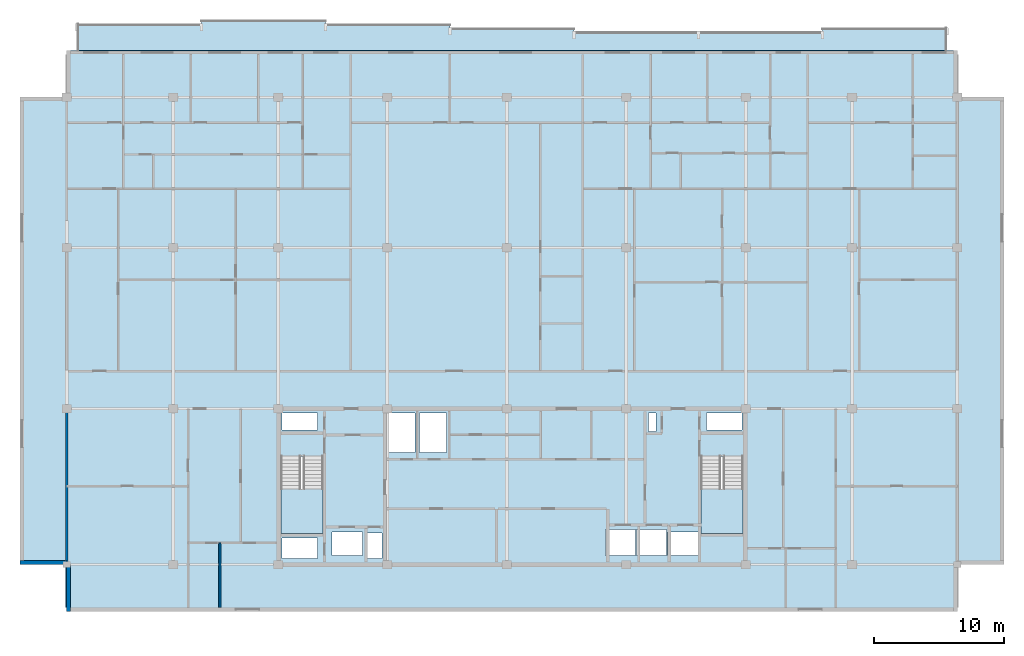
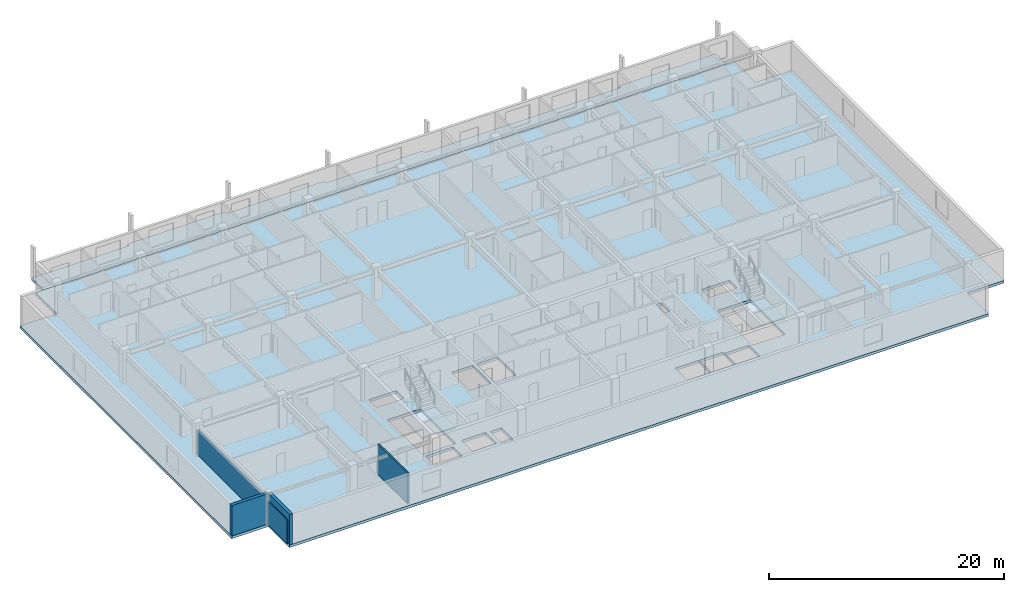
# One storey, part 2 of 10: 4 slabs, 4 walls, 2 elements without a shape of their own.
"""IFC4 building model written with IfcOpenShell, lengths in metres."""

from ifc_helpers import new_model, si_unit, direction, frame, frame_2d, origin, place, context, subcontext, project, spatial, polyline, rectangle, outline, extrude, material, layer, layer_set, type_object, element, aggregate, save


model = new_model("IFC4")

# Units and contexts
model_context = context("Model", 3, precision=1e-05, world=origin(), true_north=direction((0.0, 1.0)))
body_context = subcontext(model_context, "Body", "Model", "MODEL_VIEW")
ifc_project = project(units=[si_unit("LENGTHUNIT", "METRE"), si_unit("AREAUNIT", "SQUARE_METRE"), si_unit("VOLUMEUNIT", "CUBIC_METRE"), si_unit("PLANEANGLEUNIT", "RADIAN"), si_unit("MASSUNIT", "GRAM", prefix="KILO")], contexts=[model_context])

# Site, building, storey
site_placement = place(None, origin())
site = spatial("IfcSite", under=ifc_project, at=site_placement, CompositionType="ELEMENT")
building_placement = place(site_placement, origin())
building = spatial("IfcBuilding", under=site, at=building_placement, Name="Korimba Cascade Residences", CompositionType="ELEMENT")
storey_placement = place(building_placement, frame((0.0, 0.0, 235.550048828125)))
storey = spatial("IfcBuildingStorey", under=building, at=storey_placement, Name="L68", CompositionType="ELEMENT", Elevation=235.550048828125)

# Stair, slab
ifc_material_1 = material(Name="Concrete C50/60", Category="concrete")
stair_type_1 = type_object("IfcStairType", Name="STR-W1-20R-1725", PredefinedType="HALF_TURN_STAIR", material=ifc_material_1)
stair_1_placement = place(storey_placement, origin())
stair_1 = element("IfcStair", 1, at=stair_1_placement, inside=storey, type_object=stair_type_1, Name="L68 Tower 1 West Fire Stair ST-W1", PredefinedType="HALF_TURN_STAIR")
ifc_layer_1 = layer(ifc_material_1, 0.199951171875)
ifc_layer_set_1 = layer_set([ifc_layer_1], Name="Concrete C50/60")
slab_type_1 = type_object("IfcSlabType", Name="SLB-LND-220", PredefinedType="LANDING", material=ifc_layer_set_1)
slab_1_placement = place(storey_placement, frame((0.0, 0.0, 1.52490234375)))
slab_1 = element("IfcSlab", 2, at=slab_1_placement, type_object=slab_type_1, Name="ST-W1 landing 1", PredefinedType="LANDING", context=body_context, shape_type="SweptSolid", body=[
    extrude(outline(polyline([(76.300048828125, 61.030029296875), (76.300048828125, 57.60009765625), (79.5400390625, 57.60009765625), (79.5400390625, 61.030029296875), (76.300048828125, 61.030029296875)])), origin(), (0.0, 0.0, 1.0), 0.199951171875),
])
aggregate(stair_1, [slab_1])

stair_type_2 = type_object("IfcStairType", Name="STR-W2-20R-1725", PredefinedType="HALF_TURN_STAIR", material=ifc_material_1)
stair_2_placement = place(storey_placement, origin())
stair_2 = element("IfcStair", 3, at=stair_2_placement, inside=storey, type_object=stair_type_2, Name="L68 Tower 1 East Fire Stair ST-W2", PredefinedType="HALF_TURN_STAIR")
slab_2_placement = place(storey_placement, frame((0.0, 0.0, 1.52490234375)))
slab_2 = element("IfcSlab", 4, at=slab_2_placement, type_object=slab_type_1, Name="ST-W2 landing 1", PredefinedType="LANDING", context=body_context, shape_type="SweptSolid", body=[
    extrude(outline(polyline([(108.659912109375, 61.030029296875), (108.659912109375, 57.60009765625), (111.89990234375, 57.60009765625), (111.89990234375, 61.030029296875), (108.659912109375, 61.030029296875)])), origin(), (0.0, 0.0, 1.0), 0.199951171875),
])
aggregate(stair_2, [slab_2])

# Slabs
ifc_material_2 = material(Name="Precast concrete C40/50", Category="concrete")
ifc_layer_2 = layer(ifc_material_2, 0.239990234375)
ifc_layer_set_2 = layer_set([ifc_layer_2], Name="Precast concrete C40/50")
slab_type_2 = type_object("IfcSlabType", Name="SLB-LOG-240", PredefinedType="FLOOR", material=ifc_layer_set_2)
slab_3_placement = place(storey_placement, frame((0.0, 0.0, -0.239990234375)))
element("IfcSlab", 5, at=slab_3_placement, inside=storey, type_object=slab_type_2, Name="L68 Tower 1 North Loggia Slab", PredefinedType="FLOOR", context=body_context, shape_type="SweptSolid", body=[
    extrude(outline(polyline([(60.60009765625, 94.800048828125), (127.60009765625, 94.800048828125), (127.60009765625, 96.550048828125), (118.028564453125, 96.550048828125), (118.028564453125, 96.25), (98.8857421875, 96.25), (98.8857421875, 96.550048828125), (89.314208984375, 96.550048828125), (89.314208984375, 96.85009765625), (79.742919921875, 96.85009765625), (79.742919921875, 97.14990234375), (70.17138671875, 97.14990234375), (70.17138671875, 96.85009765625), (60.60009765625, 96.85009765625), (60.60009765625, 94.800048828125)])), origin(), (0.0, 0.0, 1.0), 0.239990234375),
])
ifc_layer_3 = layer(ifc_material_1, 0.280029296875)
ifc_layer_set_3 = layer_set([ifc_layer_3], Name="Concrete C50/60")
slab_type_3 = type_object("IfcSlabType", Name="SLB-TYP-280", PredefinedType="FLOOR", material=ifc_layer_set_3)
slab_4_placement = place(storey_placement, frame((0.0, 0.0, -0.280029296875)))
element("IfcSlab", 6, at=slab_4_placement, inside=storey, type_object=slab_type_3, Name="L68 Tower 1 Floor Slab", PredefinedType="FLOOR", context=body_context, shape_type="SweptSolid", body=[
    extrude(outline(polyline([(59.800048828125, 51.60009765625), (128.39990234375, 51.60009765625), (128.39990234375, 55.199951171875), (132.0, 55.199951171875), (132.0, 91.199951171875), (128.39990234375, 91.199951171875), (128.39990234375, 94.800048828125), (59.800048828125, 94.800048828125), (59.800048828125, 91.199951171875), (56.199951171875, 91.199951171875), (56.199951171875, 55.199951171875), (59.800048828125, 55.199951171875), (59.800048828125, 51.60009765625)]), holes=[polyline([(76.300048828125, 63.514892578125), (76.300048828125, 57.60009765625), (79.5400390625, 57.60009765625), (79.5400390625, 63.514892578125), (76.300048828125, 63.514892578125)]), polyline([(108.659912109375, 63.514892578125), (108.659912109375, 57.60009765625), (111.89990234375, 57.60009765625), (111.89990234375, 63.514892578125), (108.659912109375, 63.514892578125)]), polyline([(80.22998046875, 55.8798828125), (82.570068359375, 55.8798828125), (82.570068359375, 57.719970703125), (80.22998046875, 57.719970703125), (80.22998046875, 55.8798828125)]), polyline([(106.080078125, 55.8798828125), (108.419921875, 55.8798828125), (108.419921875, 57.719970703125), (106.080078125, 57.719970703125), (106.080078125, 55.8798828125)]), polyline([(101.304931640625, 55.8798828125), (103.594970703125, 55.8798828125), (103.594970703125, 57.919921875), (101.304931640625, 57.919921875), (101.304931640625, 55.8798828125)]), polyline([(103.705078125, 55.8798828125), (105.9951171875, 55.8798828125), (105.9951171875, 57.919921875), (103.705078125, 57.919921875), (103.705078125, 55.8798828125)]), polyline([(82.97998046875, 55.679931640625), (84.080078125, 55.679931640625), (84.080078125, 57.6201171875), (82.97998046875, 57.6201171875), (82.97998046875, 55.679931640625)]), polyline([(76.39990234375, 65.56005859375), (79.10009765625, 65.56005859375), (79.10009765625, 66.8798828125), (76.39990234375, 66.8798828125), (76.39990234375, 65.56005859375)]), polyline([(76.39990234375, 55.679931640625), (79.10009765625, 55.679931640625), (79.10009765625, 57.239990234375), (76.39990234375, 57.239990234375), (76.39990234375, 55.679931640625)]), polyline([(84.530029296875, 63.820068359375), (86.6201171875, 63.820068359375), (86.6201171875, 66.8798828125), (84.530029296875, 66.8798828125), (84.530029296875, 63.820068359375)]), polyline([(86.97998046875, 63.820068359375), (89.070068359375, 63.820068359375), (89.070068359375, 66.8798828125), (86.97998046875, 66.8798828125), (86.97998046875, 63.820068359375)]), polyline([(104.6201171875, 65.4599609375), (105.179931640625, 65.4599609375), (105.179931640625, 66.8798828125), (104.6201171875, 66.8798828125), (104.6201171875, 65.4599609375)]), polyline([(109.080078125, 65.56005859375), (111.800048828125, 65.56005859375), (111.800048828125, 66.8798828125), (109.080078125, 66.8798828125), (109.080078125, 65.56005859375)])]), origin(), (0.0, 0.0, 1.0), 0.280029296875),
])

# Walls
ifc_layer_4 = layer(ifc_material_2, 0.300048828125)
ifc_layer_set_4 = layer_set([ifc_layer_4], Name="Precast concrete C40/50")
wall_type_1 = type_object("IfcWallType", Name="EW-STONE-300", PredefinedType="STANDARD", material=ifc_layer_set_4)
wall_1_placement = place(storey_placement, frame((56.199951171875, 55.35009765625, 0.0), z_axis=(0.0, 0.0, 1.0), x_axis=(1.0, 0.0, 0.0)))
element("IfcWall", 7, at=wall_1_placement, inside=storey, type_object=wall_type_1, Name="L68 T1 Perimeter Stone Wall E10", PredefinedType="STANDARD", context=body_context, shape_type="SweptSolid", body=[
    extrude(rectangle(XDim=3.60009765625, YDim=0.300048828125, at=frame_2d((1.800048828125, 0.0))), origin(), (0.0, 0.0, 1.0), 3.169921875),
])
wall_2_placement = place(storey_placement, frame((59.949951171875, 55.199951171875, 0.0), z_axis=(0.0, 0.0, 1.0), x_axis=(0.0, -1.0, 0.0)))
element("IfcWall", 8, at=wall_2_placement, inside=storey, type_object=wall_type_1, Name="L68 T1 Perimeter Stone Wall E11", PredefinedType="STANDARD", context=body_context, shape_type="SweptSolid", body=[
    extrude(rectangle(XDim=3.599853515625, YDim=0.300048828125, at=frame_2d((1.7998046875, 0.0))), origin(), (0.0, 0.0, 1.0), 3.169921875),
])
ifc_layer_5 = layer(ifc_material_2, 0.199951171875)
ifc_layer_set_5 = layer_set([ifc_layer_5], Name="Precast concrete C40/50")
wall_type_2 = type_object("IfcWallType", Name="WAL-IT-200", PredefinedType="PARTITIONING", material=ifc_layer_set_5)
wall_3_placement = place(storey_placement, frame((59.800048828125, 51.89990234375, 0.0), z_axis=(0.0, 0.0, 1.0), x_axis=(0.0, 1.0, 0.0)))
element("IfcWall", 9, at=wall_3_placement, inside=storey, type_object=wall_type_2, Name="L68 Partition Wall WAL-L68-T1-FW-WL", PredefinedType="PARTITIONING", context=body_context, shape_type="SweptSolid", body=[
    extrude(rectangle(XDim=15.300048828125, YDim=0.199951171875, at=frame_2d((7.64990234375, 0.0))), origin(), (0.0, 0.0, 1.0), 2.47705078125),
])
ifc_material_3 = material(Name="Insulated Acoustic Stud Partition", Category="gypsum")
ifc_layer_6 = layer(ifc_material_3, 0.14990234375)
ifc_layer_set_6 = layer_set([ifc_layer_6], Name="Insulated Acoustic Stud Partition")
wall_type_3 = type_object("IfcWallType", Name="WAL-PART-150", PredefinedType="PARTITIONING", material=ifc_layer_set_6)
wall_4_placement = place(storey_placement, frame((71.60009765625, 51.89990234375, 0.0), z_axis=(0.0, 0.0, 1.0), x_axis=(0.0, 1.0, 0.0)))
element("IfcWall", 10, at=wall_4_placement, inside=storey, type_object=wall_type_3, Name="L68 Partition Wall WAL-L68-T1-FW-VS", PredefinedType="PARTITIONING", context=body_context, shape_type="SweptSolid", body=[
    extrude(rectangle(XDim=4.97021484375, YDim=0.14990234375, at=frame_2d((2.485107421875, 0.0))), origin(), (0.0, 0.0, 1.0), 3.169921875),
])

save(model, "model.ifc")
